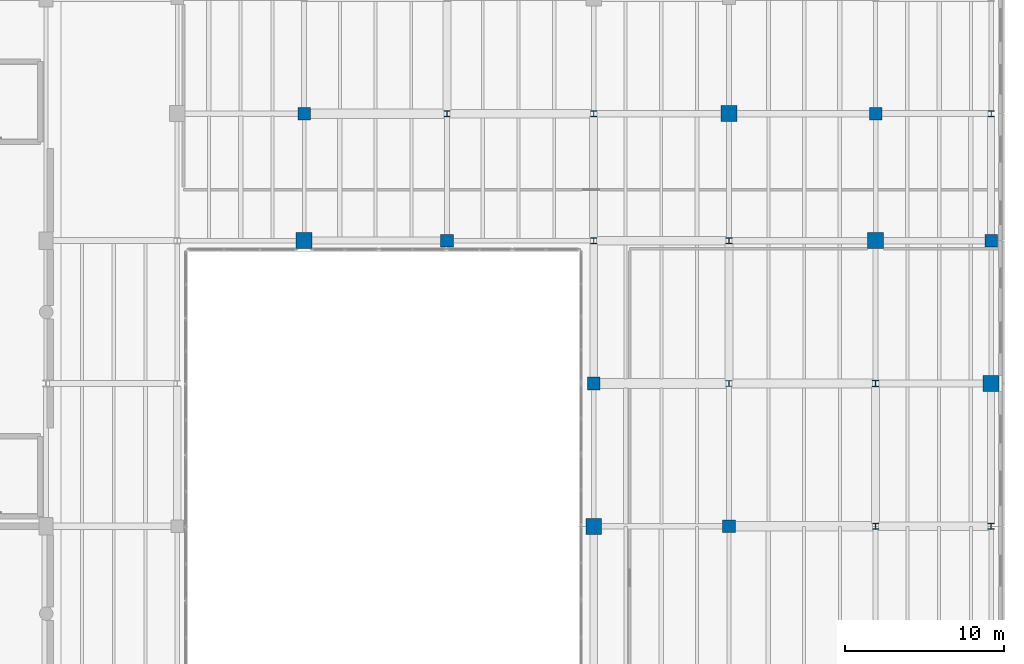
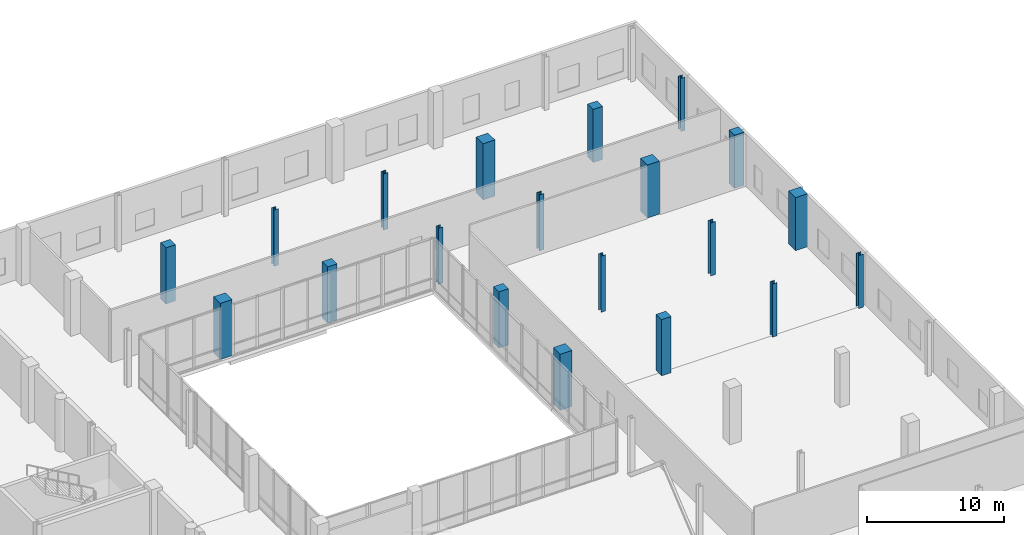
# One storey, part 15 of 81: 20 columns.
"""IFC4 building model written with IfcOpenShell, lengths in metres."""

from ifc_helpers import new_model, si_unit, direction, frame, origin, origin_2d, place, context, subcontext, project, spatial, rectangle, i_section, extrude, material, material_profile, profile_set, type_object, element, save


model = new_model("IFC4")

# Units and contexts
model_context = context("Model", 3, precision=1e-05, world=origin(), true_north=direction((0.0, 1.0)))
body_context = subcontext(model_context, "Body", "Model", "MODEL_VIEW")
ifc_project = project(units=[si_unit("LENGTHUNIT", "METRE"), si_unit("AREAUNIT", "SQUARE_METRE"), si_unit("VOLUMEUNIT", "CUBIC_METRE"), si_unit("PLANEANGLEUNIT", "RADIAN"), si_unit("MASSUNIT", "GRAM", prefix="KILO")], contexts=[model_context])

# Site, building, storey
site_placement = place(None, origin())
site = spatial("IfcSite", under=ifc_project, at=site_placement, CompositionType="ELEMENT")
building_placement = place(site_placement, origin())
building = spatial("IfcBuilding", under=site, at=building_placement, Name="Trimount Lyric Opera House", CompositionType="ELEMENT")
storey_placement = place(building_placement, frame((0.0, 0.0, 5.0)))
storey = spatial("IfcBuildingStorey", under=building, at=storey_placement, Name="L01", CompositionType="ELEMENT", Elevation=5.0)

# Columns
ifc_material_1 = material(Name="Steel ASTM A992 Grade 50", Category="steel")
ifc_material_profile_1 = material_profile(ifc_material_1, i_section(OverallWidth=0.39892578125, OverallDepth=0.385986328125, WebThickness=0.02099609375, FlangeThickness=0.033203125, FilletRadius=0.01611328125, at=origin_2d()), Name="W14X176")
ifc_profile_set_1 = profile_set([ifc_material_profile_1], Name="Steel ASTM A992 Grade 50")
column_type_1 = type_object("IfcColumnType", Name="C-03", PredefinedType="COLUMN", material=ifc_profile_set_1)
for number, where, z_axis, x_axis, name in (
    (1, (148.239990234375, 110.0, 0.0), (0.0, 0.0, 1.0), (1.0, 0.0, 0.0), "L01 column 17/N"),
    (2, (156.760009765625, 102.0, 0.0), (0.0, 0.0, 1.0), (1.0, 0.0, 0.0), "L01 column 18/M"),
):
    element("IfcColumn", number, at=place(storey_placement, frame(where, z_axis=z_axis, x_axis=x_axis)), inside=storey, type_object=column_type_1, Name=name, PredefinedType="COLUMN", context=body_context, shape_type="SweptSolid", body=[
        extrude(i_section(OverallWidth=0.39892578125, OverallDepth=0.385986328125, WebThickness=0.02099609375, FlangeThickness=0.033203125, FilletRadius=0.01611328125, at=origin_2d()), origin(), (0.0, 0.0, 1.0), 5.0),
    ])
for number, where, z_axis, x_axis, name in (
    (3, (166.0, 93.0, 0.0), (0.0, 0.0, 1.0), (1.0, 0.0, 0.0), "L01 column 19/L"),
    (4, (173.280029296875, 84.0, 0.0), (0.0, 0.0, 1.0), (1.0, 0.0, 0.0), "L01 column 20/K"),
):
    element("IfcColumn", number, at=place(storey_placement, frame(where, z_axis=z_axis, x_axis=x_axis)), inside=storey, type_object=column_type_1, Name=name, PredefinedType="COLUMN", context=body_context, shape_type="SweptSolid", body=[
        extrude(i_section(OverallWidth=0.39892578125, OverallDepth=0.385986328125, WebThickness=0.02099609375, FlangeThickness=0.033203125, FilletRadius=0.01611328125, at=origin_2d()), origin(), (0.0, 0.0, 1.0), 4.72998046875),
    ])
ifc_material_2 = material(Name="Steel ASTM A992 Grade 50", Category="steel")
ifc_material_profile_2 = material_profile(ifc_material_2, i_section(OverallWidth=0.373046875, OverallDepth=0.367919921875, WebThickness=0.014892578125, FlangeThickness=0.02392578125, FilletRadius=0.014892578125, at=origin_2d()), Name="W14X120")
ifc_profile_set_2 = profile_set([ifc_material_profile_2], Name="Steel ASTM A992 Grade 50")
column_type_2 = type_object("IfcColumnType", Name="C-08", PredefinedType="COLUMN", material=ifc_profile_set_2)
for number, where, z_axis, x_axis, name in (
    (5, (139.0, 110.0, 0.0), (0.0, 0.0, 1.0), (1.0, 0.0, 0.0), "L01 column 16/N"),
    (6, (148.239990234375, 102.0, 0.0), (0.0, 0.0, 1.0), (1.0, 0.0, 0.0), "L01 column 17/M"),
    (7, (156.760009765625, 93.0, 0.0), (0.0, 0.0, 1.0), (1.0, 0.0, 0.0), "L01 column 18/L"),
):
    element("IfcColumn", number, at=place(storey_placement, frame(where, z_axis=z_axis, x_axis=x_axis)), inside=storey, type_object=column_type_2, Name=name, PredefinedType="COLUMN", context=body_context, shape_type="SweptSolid", body=[
        extrude(i_section(OverallWidth=0.373046875, OverallDepth=0.367919921875, WebThickness=0.014892578125, FlangeThickness=0.02392578125, FilletRadius=0.014892578125, at=origin_2d()), origin(), (0.0, 0.0, 1.0), 5.0),
    ])
for number, where, z_axis, x_axis, name in (
    (8, (166.0, 84.0, 0.0), (0.0, 0.0, 1.0), (1.0, 0.0, 0.0), "L01 column 19/K"),
    (9, (173.280029296875, 110.0, 0.0), (0.0, 0.0, 1.0), (1.0, 0.0, 0.0), "L01 column 20/N"),
):
    element("IfcColumn", number, at=place(storey_placement, frame(where, z_axis=z_axis, x_axis=x_axis)), inside=storey, type_object=column_type_2, Name=name, PredefinedType="COLUMN", context=body_context, shape_type="SweptSolid", body=[
        extrude(i_section(OverallWidth=0.373046875, OverallDepth=0.367919921875, WebThickness=0.014892578125, FlangeThickness=0.02392578125, FilletRadius=0.014892578125, at=origin_2d()), origin(), (0.0, 0.0, 1.0), 4.72998046875),
    ])
ifc_material_3 = material(Name="Concrete C50/60", Category="concrete")
ifc_material_profile_3 = material_profile(ifc_material_3, rectangle(XDim=1.0, YDim=1.0, at=origin_2d()), Name="RC1000X1000")
ifc_profile_set_3 = profile_set([ifc_material_profile_3], Name="Concrete C50/60")
column_type_3 = type_object("IfcColumnType", Name="C-12", PredefinedType="COLUMN", material=ifc_profile_set_3)
for number, where, z_axis, x_axis, name in (
    (10, (130.0, 102.0, 0.0), (0.0, 0.0, 1.0), (1.0, 0.0, 0.0), "L01 column 15/M"),
    (11, (148.239990234375, 84.0, 0.0), (0.0, 0.0, 1.0), (1.0, 0.0, 0.0), "L01 column 17/K"),
    (12, (156.760009765625, 110.0, 0.0), (0.0, 0.0, 1.0), (1.0, 0.0, 0.0), "L01 column 18/N"),
):
    element("IfcColumn", number, at=place(storey_placement, frame(where, z_axis=z_axis, x_axis=x_axis)), inside=storey, type_object=column_type_3, Name=name, PredefinedType="COLUMN", context=body_context, shape_type="SweptSolid", body=[
        extrude(rectangle(XDim=1.0, YDim=1.0, at=origin_2d()), origin(), (0.0, 0.0, 1.0), 5.0),
    ])
for number, where, z_axis, x_axis, name in (
    (13, (166.0, 102.0, 0.0), (0.0, 0.0, 1.0), (1.0, 0.0, 0.0), "L01 column 19/M"),
    (14, (173.280029296875, 93.0, 0.0), (0.0, 0.0, 1.0), (1.0, 0.0, 0.0), "L01 column 20/L"),
):
    element("IfcColumn", number, at=place(storey_placement, frame(where, z_axis=z_axis, x_axis=x_axis)), inside=storey, type_object=column_type_3, Name=name, PredefinedType="COLUMN", context=body_context, shape_type="SweptSolid", body=[
        extrude(rectangle(XDim=1.0, YDim=1.0, at=origin_2d()), origin(), (0.0, 0.0, 1.0), 4.72998046875),
    ])
ifc_material_4 = material(Name="Concrete C40/50", Category="concrete")
ifc_material_profile_4 = material_profile(ifc_material_4, rectangle(XDim=0.800048828125, YDim=0.800048828125, at=origin_2d()), Name="RC800X800")
ifc_profile_set_4 = profile_set([ifc_material_profile_4], Name="Concrete C40/50")
column_type_4 = type_object("IfcColumnType", Name="C-14", PredefinedType="COLUMN", material=ifc_profile_set_4)
for number, where, z_axis, x_axis, name in (
    (15, (130.0, 110.0, 0.0), (0.0, 0.0, 1.0), (1.0, 0.0, 0.0), "L01 column 15/N"),
    (16, (139.0, 102.0, 0.0), (0.0, 0.0, 1.0), (1.0, 0.0, 0.0), "L01 column 16/M"),
    (17, (148.239990234375, 93.0, 0.0), (0.0, 0.0, 1.0), (1.0, 0.0, 0.0), "L01 column 17/L"),
    (18, (156.760009765625, 84.0, 0.0), (0.0, 0.0, 1.0), (1.0, 0.0, 0.0), "L01 column 18/K"),
):
    element("IfcColumn", number, at=place(storey_placement, frame(where, z_axis=z_axis, x_axis=x_axis)), inside=storey, type_object=column_type_4, Name=name, PredefinedType="COLUMN", context=body_context, shape_type="SweptSolid", body=[
        extrude(rectangle(XDim=0.800048828125, YDim=0.800048828125, at=origin_2d()), origin(), (0.0, 0.0, 1.0), 5.0),
    ])
for number, where, z_axis, x_axis, name in (
    (19, (166.0, 110.0, 0.0), (0.0, 0.0, 1.0), (1.0, 0.0, 0.0), "L01 column 19/N"),
    (20, (173.280029296875, 102.0, 0.0), (0.0, 0.0, 1.0), (1.0, 0.0, 0.0), "L01 column 20/M"),
):
    element("IfcColumn", number, at=place(storey_placement, frame(where, z_axis=z_axis, x_axis=x_axis)), inside=storey, type_object=column_type_4, Name=name, PredefinedType="COLUMN", context=body_context, shape_type="SweptSolid", body=[
        extrude(rectangle(XDim=0.800048828125, YDim=0.800048828125, at=origin_2d()), origin(), (0.0, 0.0, 1.0), 4.72998046875),
    ])

save(model, "model.ifc")
